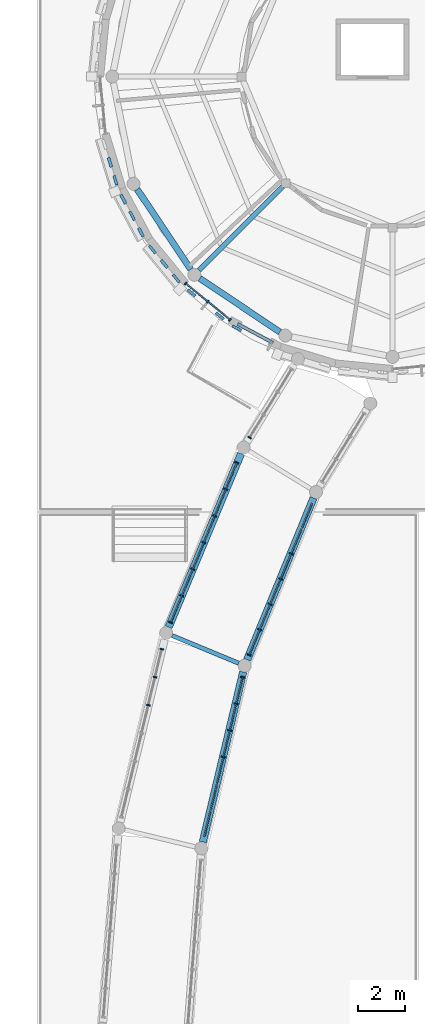
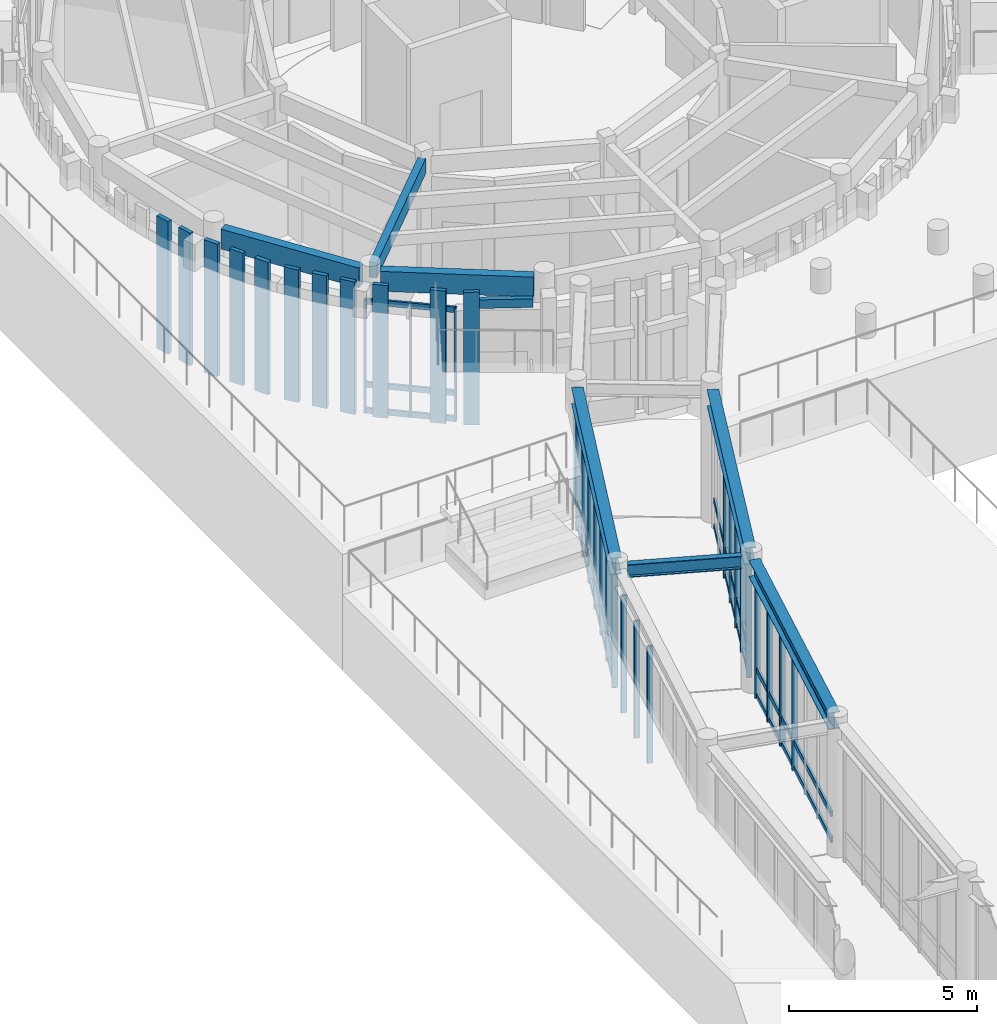
# One storey, part 29 of 94: 46 members, 8 beams, 6 elements without a shape of their own.
"""IFC4 building model written with IfcOpenShell, lengths in metres."""

from ifc_helpers import new_model, si_unit, direction, frame, origin, origin_2d, place, context, subcontext, project, spatial, rectangle, i_section, extrude, material, layer, layer_set, material_profile, profile_set, type_object, element, aggregate, save


model = new_model("IFC4")

# Units and contexts
model_context = context("Model", 3, precision=1e-05, world=origin(), true_north=direction((0.0, 1.0)))
body_context = subcontext(model_context, "Body", "Model", "MODEL_VIEW")
ifc_project = project(units=[si_unit("LENGTHUNIT", "METRE"), si_unit("AREAUNIT", "SQUARE_METRE"), si_unit("VOLUMEUNIT", "CUBIC_METRE"), si_unit("PLANEANGLEUNIT", "RADIAN"), si_unit("MASSUNIT", "GRAM", prefix="KILO")], contexts=[model_context])

# Site, building, storey
site_placement = place(None, origin())
site = spatial("IfcSite", under=ifc_project, at=site_placement, CompositionType="ELEMENT")
building_placement = place(site_placement, origin())
building = spatial("IfcBuilding", under=site, at=building_placement, Name="Aldenvaro Health Centre", CompositionType="ELEMENT")
storey_placement = place(building_placement, origin())
storey = spatial("IfcBuildingStorey", under=building, at=storey_placement, Name="L00", CompositionType="ELEMENT", Elevation=0.0)

# Beams
ifc_material_1 = material(Name="Glulam GL28h", Category="wood")
ifc_material_profile_1 = material_profile(ifc_material_1, rectangle(XDim=0.139892578125, YDim=0.280029296875, at=origin_2d()), Name="GL 140x280", Category="wood")
ifc_profile_set_1 = profile_set([ifc_material_profile_1], Name="Glulam GL28h")
beam_type_1 = type_object("IfcBeamType", Name="BM-GL-280", PredefinedType="LINTEL", material=ifc_profile_set_1)
beam_1_placement = place(storey_placement, frame((149.431884765625, 88.217041015625, 3.799072265625), z_axis=(-0.88194299532, 0.471356078783, 0.0), x_axis=(-0.471356078783, -0.88194299532, 0.0)))
element("IfcBeam", 1, at=beam_1_placement, inside=storey, type_object=beam_type_1, Name="Portal Lintel Beam 09", PredefinedType="LINTEL", context=body_context, shape_type="SweptSolid", body=[
    extrude(rectangle(XDim=0.139892578125, YDim=0.280029296875, at=origin_2d()), origin(), (0.0, 0.0, 1.0), 1.699462890625),
])
ifc_material_profile_2 = material_profile(ifc_material_1, rectangle(XDim=0.215087890625, YDim=0.493896484375, at=origin_2d()), Name="GL 215x494", Category="wood")
ifc_profile_set_2 = profile_set([ifc_material_profile_2], Name="Glulam GL28h")
beam_type_2 = type_object("IfcBeamType", Name="BM-GL-494", PredefinedType="BEAM", material=ifc_profile_set_2)
beam_2_placement = place(storey_placement, frame((149.845947265625, 94.845947265625, 4.05810546875), z_axis=(-0.707106781187, -0.707106781187, 0.0), x_axis=(0.707106781187, -0.707106781187, 0.0)))
element("IfcBeam", 2, at=beam_2_placement, inside=storey, type_object=beam_type_2, Name="D2 L00 radial beam 04", PredefinedType="BEAM", context=body_context, shape_type="SweptSolid", body=[
    extrude(rectangle(XDim=0.215087890625, YDim=0.493896484375, at=origin_2d()), origin(), (0.0, 0.0, 1.0), 5.023193359375),
])
ifc_material_profile_3 = material_profile(ifc_material_1, rectangle(XDim=0.264892578125, YDim=0.64599609375, at=origin_2d()), Name="GL 265x646", Category="wood")
ifc_profile_set_3 = profile_set([ifc_material_profile_3], Name="Glulam GL28h")
beam_type_3 = type_object("IfcBeamType", Name="BM-GL-646", PredefinedType="SPANDREL", material=ifc_profile_set_3)
for number, where, z_axis, x_axis, name in (
    (3, (143.677001953125, 94.72509765625, 3.98193359375), (0.555720427957, -0.83136923563, 0.0), (0.83136923563, 0.555720427957, 0.0), "D2 L00 perimeter spandrel 10"),
    (4, (146.3291015625, 90.947021484375, 3.98193359375), (0.83136923563, -0.555720427957, 0.0), (0.555720427957, 0.83136923563, 0.0), "D2 L00 perimeter spandrel 11"),
):
    element("IfcBeam", number, at=place(storey_placement, frame(where, z_axis=z_axis, x_axis=x_axis)), inside=storey, type_object=beam_type_3, Name=name, PredefinedType="SPANDREL", context=body_context, shape_type="SweptSolid", body=[
        extrude(rectangle(XDim=0.264892578125, YDim=0.64599609375, at=origin_2d()), origin(), (0.0, 0.0, 1.0), 4.084716796875),
    ])
ifc_material_2 = material(Name="Steel ASTM A992 Grade 50", Category="steel")
ifc_material_profile_4 = material_profile(ifc_material_2, i_section(OverallWidth=0.180908203125, OverallDepth=0.4169921875, WebThickness=0.010986328125, FlangeThickness=0.018310546875, at=origin_2d()), Name="W16X57", Category="steel")
ifc_profile_set_4 = profile_set([ifc_material_profile_4], Name="Steel ASTM A992 Grade 50")
beam_type_4 = type_object("IfcBeamType", Name="BM-ST-W16E", PredefinedType="JOIST", material=ifc_profile_set_4)
beam_3_placement = place(storey_placement, frame((147.97900390625, 74.638916015625, 4.135986328125), z_axis=(-0.923802186676, 0.382870108382, 0.0), x_axis=(-0.382870108382, -0.923802186676, 0.0)))
element("IfcBeam", 5, at=beam_3_placement, inside=storey, type_object=beam_type_4, Name="East Curved Garden Colonnade Arc 2 L00 cross beam 2", PredefinedType="JOIST", context=body_context, shape_type="SweptSolid", body=[
    extrude(i_section(OverallWidth=0.180908203125, OverallDepth=0.4169921875, WebThickness=0.010986328125, FlangeThickness=0.018310546875, at=origin_2d()), origin(), (0.0, 0.0, 1.0), 3.050537109375),
])
ifc_material_profile_5 = material_profile(ifc_material_2, i_section(OverallWidth=0.31201171875, OverallDepth=0.54296875, WebThickness=0.0126953125, FlangeThickness=0.020263671875, at=origin_2d()), Name="W21X101", Category="steel")
ifc_profile_set_5 = profile_set([ifc_material_profile_5], Name="Steel ASTM A992 Grade 50")
beam_type_5 = type_object("IfcBeamType", Name="BM-ST-W21E", PredefinedType="BEAM", material=ifc_profile_set_5)
beam_4_placement = place(storey_placement, frame((151.152099609375, 81.639892578125, 4.073974609375), z_axis=(-0.37992741541, -0.925016302029, 0.0), x_axis=(0.925016302029, -0.37992741541, 0.0)))
element("IfcBeam", 6, at=beam_4_placement, inside=storey, type_object=beam_type_5, Name="East Curved Garden Colonnade Arc 2 L00 girder L-1", PredefinedType="BEAM", context=body_context, shape_type="SweptSolid", body=[
    extrude(i_section(OverallWidth=0.31201171875, OverallDepth=0.54296875, WebThickness=0.0126953125, FlangeThickness=0.020263671875, at=origin_2d()), origin(), (0.0, 0.0, 1.0), 7.4072265625),
])
beam_5_placement = place(storey_placement, frame((148.0810546875, 83.52197265625, 4.073974609375), z_axis=(-0.38495031573, -0.922937297122, 0.0), x_axis=(0.922937297122, -0.38495031573, 0.0)))
element("IfcBeam", 7, at=beam_5_placement, inside=storey, type_object=beam_type_5, Name="East Curved Garden Colonnade Arc 2 L00 girder R-1", PredefinedType="BEAM", context=body_context, shape_type="SweptSolid", body=[
    extrude(i_section(OverallWidth=0.31201171875, OverallDepth=0.54296875, WebThickness=0.0126953125, FlangeThickness=0.020263671875, at=origin_2d()), origin(), (0.0, 0.0, 1.0), 7.97021484375),
])
beam_6_placement = place(storey_placement, frame((148.169921875, 74.26611328125, 4.073974609375), z_axis=(-0.231038102436, -0.972944703065, 0.0), x_axis=(0.972944703065, -0.231038102436, 0.0)))
element("IfcBeam", 8, at=beam_6_placement, inside=storey, type_object=beam_type_5, Name="East Curved Garden Colonnade Arc 3 L00 girder L-1", PredefinedType="BEAM", context=body_context, shape_type="SweptSolid", body=[
    extrude(i_section(OverallWidth=0.31201171875, OverallDepth=0.54296875, WebThickness=0.0126953125, FlangeThickness=0.020263671875, at=origin_2d()), origin(), (0.0, 0.0, 1.0), 7.405517578125),
])

# Curtain wall, members
ifc_material_3 = material(Name="Anodised Aluminium 6063-T6", Category="aluminium")
ifc_layer_1 = layer(ifc_material_3, 0.195068359375, Name="Anodised Aluminium 6063-T6", Category="aluminium")
ifc_layer_set_1 = layer_set([ifc_layer_1], Name="Anodised Aluminium 6063-T6")
curtain_wall_type_1 = type_object("IfcCurtainWallType", Name="CW-CLN-02", PredefinedType="NOTDEFINED", material=ifc_layer_set_1)
curtain_wall_1_placement = place(storey_placement, origin())
curtain_wall_1 = element("IfcCurtainWall", 9, at=curtain_wall_1_placement, inside=storey, type_object=curtain_wall_type_1, Name="D2 L00 curtain wall bay 12", PredefinedType="NOTDEFINED")
ifc_material_profile_6 = material_profile(ifc_material_3, rectangle(XDim=0.06005859375, YDim=0.135009765625, at=origin_2d()), Name="ALU 60x135", Category="aluminium")
ifc_profile_set_6 = profile_set([ifc_material_profile_6], Name="Anodised Aluminium 6063-T6")
member_type_1 = type_object("IfcMemberType", Name="CWM-150", PredefinedType="MULLION", material=ifc_profile_set_6)
member_1_placement = place(storey_placement, frame((147.611083984375, 89.18994140625, 0.0), z_axis=(0.0, 0.0, 1.0), x_axis=(-0.773021639749, 0.634379653268, 0.0)))
member_1 = element("IfcMember", 10, at=member_1_placement, type_object=member_type_1, Name="D2 L00 curtain wall bay 12 mullion 1", PredefinedType="MULLION", context=body_context, shape_type="SweptSolid", body=[
    extrude(rectangle(XDim=0.06005859375, YDim=0.135009765625, at=origin_2d()), origin(), (0.0, 0.0, 1.0), 3.658935546875),
])
member_2_placement = place(storey_placement, frame((146.6708984375, 89.9609375, 0.0), z_axis=(0.0, 0.0, 1.0), x_axis=(-0.773021639749, 0.634379653268, 0.0)))
member_2 = element("IfcMember", 11, at=member_2_placement, type_object=member_type_1, Name="D2 L00 curtain wall bay 12 mullion 2", PredefinedType="MULLION", context=body_context, shape_type="SweptSolid", body=[
    extrude(rectangle(XDim=0.06005859375, YDim=0.135009765625, at=origin_2d()), origin(), (0.0, 0.0, 1.0), 3.658935546875),
])
member_3_placement = place(storey_placement, frame((145.73193359375, 90.73193359375, 0.0), z_axis=(0.0, 0.0, 1.0), x_axis=(-0.773021639749, 0.634379653268, 0.0)))
member_3 = element("IfcMember", 12, at=member_3_placement, type_object=member_type_1, Name="D2 L00 curtain wall bay 12 mullion 3", PredefinedType="MULLION", context=body_context, shape_type="SweptSolid", body=[
    extrude(rectangle(XDim=0.06005859375, YDim=0.135009765625, at=origin_2d()), origin(), (0.0, 0.0, 1.0), 3.658935546875),
])

# Curtain wall, member
ifc_layer_2 = layer(ifc_material_3, 0.2099609375, Name="Anodised Aluminium 6063-T6", Category="aluminium")
ifc_layer_set_2 = layer_set([ifc_layer_2], Name="Anodised Aluminium 6063-T6")
curtain_wall_type_2 = type_object("IfcCurtainWallType", Name="CW-BRG-03", PredefinedType="NOTDEFINED", material=ifc_layer_set_2)
curtain_wall_2_placement = place(storey_placement, origin())
curtain_wall_2 = element("IfcCurtainWall", 13, at=curtain_wall_2_placement, inside=storey, type_object=curtain_wall_type_2, Name="East Curved Garden Colonnade Arc 1 L00 glazed link wall R-1.1", PredefinedType="NOTDEFINED")
ifc_material_profile_7 = material_profile(ifc_material_3, rectangle(XDim=0.06005859375, YDim=0.159912109375, at=origin_2d()), Name="ALU 60x160", Category="aluminium")
ifc_profile_set_7 = profile_set([ifc_material_profile_7], Name="Anodised Aluminium 6063-T6")
member_type_2 = type_object("IfcMemberType", Name="CWM-180", PredefinedType="MULLION", material=ifc_profile_set_7)
member_4_placement = place(storey_placement, frame((148.446044921875, 84.197021484375, 0.0), z_axis=(0.0, 0.0, 1.0), x_axis=(-0.522527716361, -0.852622299518, 0.0)))
member_4 = element("IfcMember", 14, at=member_4_placement, type_object=member_type_2, Name="East Curved Garden Colonnade Arc 1 L00 glazed link wall R-1.1 mullion 4", PredefinedType="MULLION", context=body_context, shape_type="SweptSolid", body=[
    extrude(rectangle(XDim=0.06005859375, YDim=0.159912109375, at=origin_2d()), origin(), (0.0, 0.0, 1.0), 3.804931640625),
])
aggregate(curtain_wall_2, [member_4])

# Curtain wall, members
curtain_wall_3_placement = place(storey_placement, origin())
curtain_wall_3 = element("IfcCurtainWall", 15, at=curtain_wall_3_placement, inside=storey, type_object=curtain_wall_type_2, Name="East Curved Garden Colonnade Arc 2 L00 glazed link wall L-1.1", PredefinedType="NOTDEFINED")
member_5_placement = place(storey_placement, frame((150.198974609375, 79.282958984375, 0.0), z_axis=(0.0, 0.0, 1.0), x_axis=(-0.382596838462, -0.923915396126, 0.0)))
member_5 = element("IfcMember", 16, at=member_5_placement, type_object=member_type_2, Name="East Curved Garden Colonnade Arc 2 L00 glazed link wall L-1.1 mullion 3", PredefinedType="MULLION", context=body_context, shape_type="SweptSolid", body=[
    extrude(rectangle(XDim=0.06005859375, YDim=0.159912109375, at=origin_2d()), origin(), (0.0, 0.0, 1.0), 3.804931640625),
])
member_6_placement = place(storey_placement, frame((149.7548828125, 78.2099609375, 0.0), z_axis=(0.0, 0.0, 1.0), x_axis=(-0.382596838462, -0.923915396126, 0.0)))
member_6 = element("IfcMember", 17, at=member_6_placement, type_object=member_type_2, Name="East Curved Garden Colonnade Arc 2 L00 glazed link wall L-1.1 mullion 4", PredefinedType="MULLION", context=body_context, shape_type="SweptSolid", body=[
    extrude(rectangle(XDim=0.06005859375, YDim=0.159912109375, at=origin_2d()), origin(), (0.0, 0.0, 1.0), 3.804931640625),
])
member_7_placement = place(storey_placement, frame((149.31103515625, 77.136962890625, 0.0), z_axis=(0.0, 0.0, 1.0), x_axis=(-0.382596838462, -0.923915396126, 0.0)))
member_7 = element("IfcMember", 18, at=member_7_placement, type_object=member_type_2, Name="East Curved Garden Colonnade Arc 2 L00 glazed link wall L-1.1 mullion 5", PredefinedType="MULLION", context=body_context, shape_type="SweptSolid", body=[
    extrude(rectangle(XDim=0.06005859375, YDim=0.159912109375, at=origin_2d()), origin(), (0.0, 0.0, 1.0), 3.804931640625),
])
member_8_placement = place(storey_placement, frame((148.865966796875, 76.06396484375, 0.0), z_axis=(0.0, 0.0, 1.0), x_axis=(-0.382596838462, -0.923915396126, 0.0)))
member_8 = element("IfcMember", 19, at=member_8_placement, type_object=member_type_2, Name="East Curved Garden Colonnade Arc 2 L00 glazed link wall L-1.1 mullion 6", PredefinedType="MULLION", context=body_context, shape_type="SweptSolid", body=[
    extrude(rectangle(XDim=0.06005859375, YDim=0.159912109375, at=origin_2d()), origin(), (0.0, 0.0, 1.0), 3.804931640625),
])
member_9_placement = place(storey_placement, frame((148.422119140625, 74.990966796875, 0.0), z_axis=(0.0, 0.0, 1.0), x_axis=(-0.382596838462, -0.923915396126, 0.0)))
member_9 = element("IfcMember", 20, at=member_9_placement, type_object=member_type_2, Name="East Curved Garden Colonnade Arc 2 L00 glazed link wall L-1.1 mullion 7", PredefinedType="MULLION", context=body_context, shape_type="SweptSolid", body=[
    extrude(rectangle(XDim=0.06005859375, YDim=0.159912109375, at=origin_2d()), origin(), (0.0, 0.0, 1.0), 3.804931640625),
])

curtain_wall_4_placement = place(storey_placement, origin())
curtain_wall_4 = element("IfcCurtainWall", 21, at=curtain_wall_4_placement, inside=storey, type_object=curtain_wall_type_2, Name="East Curved Garden Colonnade Arc 2 L00 glazed link wall R-1.1", PredefinedType="NOTDEFINED")
member_10_placement = place(storey_placement, frame((147.89794921875, 83.135986328125, 0.0), z_axis=(0.0, 0.0, 1.0), x_axis=(-0.382568850779, -0.923926985434, 0.0)))
member_10 = element("IfcMember", 22, at=member_10_placement, type_object=member_type_2, Name="East Curved Garden Colonnade Arc 2 L00 glazed link wall R-1.1 mullion 1", PredefinedType="MULLION", context=body_context, shape_type="SweptSolid", body=[
    extrude(rectangle(XDim=0.06005859375, YDim=0.159912109375, at=origin_2d()), origin(), (0.0, 0.0, 1.0), 3.804931640625),
])
member_11_placement = place(storey_placement, frame((147.430908203125, 82.008056640625, 0.0), z_axis=(0.0, 0.0, 1.0), x_axis=(-0.382568850779, -0.923926985434, 0.0)))
member_11 = element("IfcMember", 23, at=member_11_placement, type_object=member_type_2, Name="East Curved Garden Colonnade Arc 2 L00 glazed link wall R-1.1 mullion 2", PredefinedType="MULLION", context=body_context, shape_type="SweptSolid", body=[
    extrude(rectangle(XDim=0.06005859375, YDim=0.159912109375, at=origin_2d()), origin(), (0.0, 0.0, 1.0), 3.804931640625),
])
member_12_placement = place(storey_placement, frame((146.964111328125, 80.8798828125, 0.0), z_axis=(0.0, 0.0, 1.0), x_axis=(-0.382568850779, -0.923926985434, 0.0)))
member_12 = element("IfcMember", 24, at=member_12_placement, type_object=member_type_2, Name="East Curved Garden Colonnade Arc 2 L00 glazed link wall R-1.1 mullion 3", PredefinedType="MULLION", context=body_context, shape_type="SweptSolid", body=[
    extrude(rectangle(XDim=0.06005859375, YDim=0.159912109375, at=origin_2d()), origin(), (0.0, 0.0, 1.0), 3.804931640625),
])
member_13_placement = place(storey_placement, frame((146.4970703125, 79.751953125, 0.0), z_axis=(0.0, 0.0, 1.0), x_axis=(-0.382568850779, -0.923926985434, 0.0)))
member_13 = element("IfcMember", 25, at=member_13_placement, type_object=member_type_2, Name="East Curved Garden Colonnade Arc 2 L00 glazed link wall R-1.1 mullion 4", PredefinedType="MULLION", context=body_context, shape_type="SweptSolid", body=[
    extrude(rectangle(XDim=0.06005859375, YDim=0.159912109375, at=origin_2d()), origin(), (0.0, 0.0, 1.0), 3.804931640625),
])
member_14_placement = place(storey_placement, frame((146.030029296875, 78.625, 0.0), z_axis=(0.0, 0.0, 1.0), x_axis=(-0.382568850779, -0.923926985434, 0.0)))
member_14 = element("IfcMember", 26, at=member_14_placement, type_object=member_type_2, Name="East Curved Garden Colonnade Arc 2 L00 glazed link wall R-1.1 mullion 5", PredefinedType="MULLION", context=body_context, shape_type="SweptSolid", body=[
    extrude(rectangle(XDim=0.06005859375, YDim=0.159912109375, at=origin_2d()), origin(), (0.0, 0.0, 1.0), 3.804931640625),
])
member_15_placement = place(storey_placement, frame((145.56298828125, 77.4970703125, 0.0), z_axis=(0.0, 0.0, 1.0), x_axis=(-0.382568850779, -0.923926985434, 0.0)))
member_15 = element("IfcMember", 27, at=member_15_placement, type_object=member_type_2, Name="East Curved Garden Colonnade Arc 2 L00 glazed link wall R-1.1 mullion 6", PredefinedType="MULLION", context=body_context, shape_type="SweptSolid", body=[
    extrude(rectangle(XDim=0.06005859375, YDim=0.159912109375, at=origin_2d()), origin(), (0.0, 0.0, 1.0), 3.804931640625),
])
member_16_placement = place(storey_placement, frame((145.095947265625, 76.368896484375, 0.0), z_axis=(0.0, 0.0, 1.0), x_axis=(-0.382568850779, -0.923926985434, 0.0)))
member_16 = element("IfcMember", 28, at=member_16_placement, type_object=member_type_2, Name="East Curved Garden Colonnade Arc 2 L00 glazed link wall R-1.1 mullion 7", PredefinedType="MULLION", context=body_context, shape_type="SweptSolid", body=[
    extrude(rectangle(XDim=0.06005859375, YDim=0.159912109375, at=origin_2d()), origin(), (0.0, 0.0, 1.0), 3.804931640625),
])

curtain_wall_5_placement = place(storey_placement, origin())
curtain_wall_5 = element("IfcCurtainWall", 29, at=curtain_wall_5_placement, inside=storey, type_object=curtain_wall_type_2, Name="East Curved Garden Colonnade Arc 3 L00 glazed link wall L-1.1", PredefinedType="NOTDEFINED")
member_17_placement = place(storey_placement, frame((148.138916015625, 74.048095703125, 0.0), z_axis=(0.0, 0.0, 1.0), x_axis=(-0.233541245949, -0.972346896144, 0.0)))
member_17 = element("IfcMember", 30, at=member_17_placement, type_object=member_type_2, Name="East Curved Garden Colonnade Arc 3 L00 glazed link wall L-1.1 mullion 1", PredefinedType="MULLION", context=body_context, shape_type="SweptSolid", body=[
    extrude(rectangle(XDim=0.06005859375, YDim=0.159912109375, at=origin_2d()), origin(), (0.0, 0.0, 1.0), 3.804931640625),
])
member_18_placement = place(storey_placement, frame((147.867919921875, 72.9189453125, 0.0), z_axis=(0.0, 0.0, 1.0), x_axis=(-0.233541245949, -0.972346896144, 0.0)))
member_18 = element("IfcMember", 31, at=member_18_placement, type_object=member_type_2, Name="East Curved Garden Colonnade Arc 3 L00 glazed link wall L-1.1 mullion 2", PredefinedType="MULLION", context=body_context, shape_type="SweptSolid", body=[
    extrude(rectangle(XDim=0.06005859375, YDim=0.159912109375, at=origin_2d()), origin(), (0.0, 0.0, 1.0), 3.804931640625),
])
member_19_placement = place(storey_placement, frame((147.596923828125, 71.7900390625, 0.0), z_axis=(0.0, 0.0, 1.0), x_axis=(-0.233541245949, -0.972346896144, 0.0)))
member_19 = element("IfcMember", 32, at=member_19_placement, type_object=member_type_2, Name="East Curved Garden Colonnade Arc 3 L00 glazed link wall L-1.1 mullion 3", PredefinedType="MULLION", context=body_context, shape_type="SweptSolid", body=[
    extrude(rectangle(XDim=0.06005859375, YDim=0.159912109375, at=origin_2d()), origin(), (0.0, 0.0, 1.0), 3.804931640625),
])
member_20_placement = place(storey_placement, frame((147.325927734375, 70.660888671875, 0.0), z_axis=(0.0, 0.0, 1.0), x_axis=(-0.233541245949, -0.972346896144, 0.0)))
member_20 = element("IfcMember", 33, at=member_20_placement, type_object=member_type_2, Name="East Curved Garden Colonnade Arc 3 L00 glazed link wall L-1.1 mullion 4", PredefinedType="MULLION", context=body_context, shape_type="SweptSolid", body=[
    extrude(rectangle(XDim=0.06005859375, YDim=0.159912109375, at=origin_2d()), origin(), (0.0, 0.0, 1.0), 3.804931640625),
])

curtain_wall_6_placement = place(storey_placement, origin())
curtain_wall_6 = element("IfcCurtainWall", 34, at=curtain_wall_6_placement, inside=storey, type_object=curtain_wall_type_2, Name="East Curved Garden Colonnade Arc 3 L00 glazed link wall R-1.1", PredefinedType="NOTDEFINED")
member_21_placement = place(storey_placement, frame((144.721923828125, 75.235107421875, 0.0), z_axis=(0.0, 0.0, 1.0), x_axis=(-0.233625994255, -0.972326537131, 0.0)))
member_21 = element("IfcMember", 35, at=member_21_placement, type_object=member_type_2, Name="East Curved Garden Colonnade Arc 3 L00 glazed link wall R-1.1 mullion 1", PredefinedType="MULLION", context=body_context, shape_type="SweptSolid", body=[
    extrude(rectangle(XDim=0.06005859375, YDim=0.159912109375, at=origin_2d()), origin(), (0.0, 0.0, 1.0), 3.804931640625),
])
member_22_placement = place(storey_placement, frame((144.43701171875, 74.048095703125, 0.0), z_axis=(0.0, 0.0, 1.0), x_axis=(-0.233625994255, -0.972326537131, 0.0)))
member_22 = element("IfcMember", 36, at=member_22_placement, type_object=member_type_2, Name="East Curved Garden Colonnade Arc 3 L00 glazed link wall R-1.1 mullion 2", PredefinedType="MULLION", context=body_context, shape_type="SweptSolid", body=[
    extrude(rectangle(XDim=0.06005859375, YDim=0.159912109375, at=origin_2d()), origin(), (0.0, 0.0, 1.0), 3.804931640625),
])
member_23_placement = place(storey_placement, frame((144.152099609375, 72.861083984375, 0.0), z_axis=(0.0, 0.0, 1.0), x_axis=(-0.233625994255, -0.972326537131, 0.0)))
member_23 = element("IfcMember", 37, at=member_23_placement, type_object=member_type_2, Name="East Curved Garden Colonnade Arc 3 L00 glazed link wall R-1.1 mullion 3", PredefinedType="MULLION", context=body_context, shape_type="SweptSolid", body=[
    extrude(rectangle(XDim=0.06005859375, YDim=0.159912109375, at=origin_2d()), origin(), (0.0, 0.0, 1.0), 3.804931640625),
])
aggregate(curtain_wall_6, [member_21, member_22, member_23])

# Member
ifc_material_profile_8 = material_profile(ifc_material_3, rectangle(XDim=0.06494140625, YDim=0.179931640625, at=origin_2d()), Name="ALU 65x180", Category="aluminium")
ifc_profile_set_8 = profile_set([ifc_material_profile_8], Name="Anodised Aluminium 6063-T6")
member_type_3 = type_object("IfcMemberType", Name="CWT-150", PredefinedType="USERDEFINED", material=ifc_profile_set_8)
member_24_placement = place(storey_placement, frame((147.611083984375, 89.18994140625, 0.06005859375), z_axis=(-0.773048113134, 0.634347392822, 0.0), x_axis=(-0.634347392822, -0.773048113134, 0.0)))
member_24 = element("IfcMember", 38, at=member_24_placement, type_object=member_type_3, Name="D2 L00 curtain wall bay 12 transom 1", ObjectType="TRANSOM", PredefinedType="USERDEFINED", context=body_context, shape_type="SweptSolid", body=[
    extrude(rectangle(XDim=0.06494140625, YDim=0.179931640625, at=origin_2d()), origin(), (0.0, 0.0, 1.0), 2.430908203125),
])

member_25_placement = place(storey_placement, frame((147.611083984375, 89.18994140625, 0.89990234375), z_axis=(-0.773048113134, 0.634347392822, 0.0), x_axis=(-0.634347392822, -0.773048113134, 0.0)))
member_25 = element("IfcMember", 39, at=member_25_placement, type_object=member_type_3, Name="D2 L00 curtain wall bay 12 transom 2", ObjectType="TRANSOM", PredefinedType="USERDEFINED", context=body_context, shape_type="SweptSolid", body=[
    extrude(rectangle(XDim=0.06494140625, YDim=0.179931640625, at=origin_2d()), origin(), (0.0, 0.0, 1.0), 2.430908203125),
])

member_26_placement = place(storey_placement, frame((147.611083984375, 89.18994140625, 3.59912109375), z_axis=(-0.773048113134, 0.634347392822, 0.0), x_axis=(-0.634347392822, -0.773048113134, 0.0)))
member_26 = element("IfcMember", 40, at=member_26_placement, type_object=member_type_3, Name="D2 L00 curtain wall bay 12 transom 3", ObjectType="TRANSOM", PredefinedType="USERDEFINED", context=body_context, shape_type="SweptSolid", body=[
    extrude(rectangle(XDim=0.06494140625, YDim=0.179931640625, at=origin_2d()), origin(), (0.0, 0.0, 1.0), 2.430908203125),
])

aggregate(curtain_wall_1, [member_1, member_2, member_3, member_24, member_25, member_26])

member_27_placement = place(storey_placement, frame((151.087890625, 81.428955078125, 0.06005859375), z_axis=(-0.382569438613, -0.923926742031, 0.0), x_axis=(0.923926742031, -0.382569438613, 0.0)))
member_27 = element("IfcMember", 41, at=member_27_placement, type_object=member_type_3, Name="East Curved Garden Colonnade Arc 2 L00 glazed link wall L-1.1 transom 1", ObjectType="TRANSOM", PredefinedType="USERDEFINED", context=body_context, shape_type="SweptSolid", body=[
    extrude(rectangle(XDim=0.06494140625, YDim=0.179931640625, at=origin_2d()), origin(), (0.0, 0.0, 1.0), 6.968017578125),
])

member_28_placement = place(storey_placement, frame((151.087890625, 81.428955078125, 0.89990234375), z_axis=(-0.382569438613, -0.923926742031, 0.0), x_axis=(0.923926742031, -0.382569438613, 0.0)))
member_28 = element("IfcMember", 42, at=member_28_placement, type_object=member_type_3, Name="East Curved Garden Colonnade Arc 2 L00 glazed link wall L-1.1 transom 2", ObjectType="TRANSOM", PredefinedType="USERDEFINED", context=body_context, shape_type="SweptSolid", body=[
    extrude(rectangle(XDim=0.06494140625, YDim=0.179931640625, at=origin_2d()), origin(), (0.0, 0.0, 1.0), 6.968017578125),
])

member_29_placement = place(storey_placement, frame((151.087890625, 81.428955078125, 3.7451171875), z_axis=(-0.382569438613, -0.923926742031, 0.0), x_axis=(0.923926742031, -0.382569438613, 0.0)))
member_29 = element("IfcMember", 43, at=member_29_placement, type_object=member_type_3, Name="East Curved Garden Colonnade Arc 2 L00 glazed link wall L-1.1 transom 3", ObjectType="TRANSOM", PredefinedType="USERDEFINED", context=body_context, shape_type="SweptSolid", body=[
    extrude(rectangle(XDim=0.06494140625, YDim=0.179931640625, at=origin_2d()), origin(), (0.0, 0.0, 1.0), 6.968017578125),
])

aggregate(curtain_wall_3, [member_5, member_6, member_7, member_8, member_9, member_27, member_28, member_29])

member_30_placement = place(storey_placement, frame((147.89794921875, 83.135986328125, 0.06005859375), z_axis=(-0.382564742583, -0.923928686497, 0.0), x_axis=(0.923928686497, -0.382564742583, 0.0)))
member_30 = element("IfcMember", 44, at=member_30_placement, type_object=member_type_3, Name="East Curved Garden Colonnade Arc 2 L00 glazed link wall R-1.1 transom 1", ObjectType="TRANSOM", PredefinedType="USERDEFINED", context=body_context, shape_type="SweptSolid", body=[
    extrude(rectangle(XDim=0.06494140625, YDim=0.179931640625, at=origin_2d()), origin(), (0.0, 0.0, 1.0), 7.32421875),
])

member_31_placement = place(storey_placement, frame((147.89794921875, 83.135986328125, 0.89990234375), z_axis=(-0.382564742583, -0.923928686497, 0.0), x_axis=(0.923928686497, -0.382564742583, 0.0)))
member_31 = element("IfcMember", 45, at=member_31_placement, type_object=member_type_3, Name="East Curved Garden Colonnade Arc 2 L00 glazed link wall R-1.1 transom 2", ObjectType="TRANSOM", PredefinedType="USERDEFINED", context=body_context, shape_type="SweptSolid", body=[
    extrude(rectangle(XDim=0.06494140625, YDim=0.179931640625, at=origin_2d()), origin(), (0.0, 0.0, 1.0), 7.32421875),
])

member_32_placement = place(storey_placement, frame((147.89794921875, 83.135986328125, 3.7451171875), z_axis=(-0.382564742583, -0.923928686497, 0.0), x_axis=(0.923928686497, -0.382564742583, 0.0)))
member_32 = element("IfcMember", 46, at=member_32_placement, type_object=member_type_3, Name="East Curved Garden Colonnade Arc 2 L00 glazed link wall R-1.1 transom 3", ObjectType="TRANSOM", PredefinedType="USERDEFINED", context=body_context, shape_type="SweptSolid", body=[
    extrude(rectangle(XDim=0.06494140625, YDim=0.179931640625, at=origin_2d()), origin(), (0.0, 0.0, 1.0), 7.32421875),
])

aggregate(curtain_wall_4, [member_10, member_11, member_12, member_13, member_14, member_15, member_16, member_30, member_31, member_32])

member_33_placement = place(storey_placement, frame((148.138916015625, 74.048095703125, 0.06005859375), z_axis=(-0.233529345957, -0.972349754243, 0.0), x_axis=(0.972349754243, -0.233529345957, 0.0)))
member_33 = element("IfcMember", 47, at=member_33_placement, type_object=member_type_3, Name="East Curved Garden Colonnade Arc 3 L00 glazed link wall L-1.1 transom 1", ObjectType="TRANSOM", PredefinedType="USERDEFINED", context=body_context, shape_type="SweptSolid", body=[
    extrude(rectangle(XDim=0.06494140625, YDim=0.179931640625, at=origin_2d()), origin(), (0.0, 0.0, 1.0), 6.966796875),
])

member_34_placement = place(storey_placement, frame((148.138916015625, 74.048095703125, 0.89990234375), z_axis=(-0.233529345957, -0.972349754243, 0.0), x_axis=(0.972349754243, -0.233529345957, 0.0)))
member_34 = element("IfcMember", 48, at=member_34_placement, type_object=member_type_3, Name="East Curved Garden Colonnade Arc 3 L00 glazed link wall L-1.1 transom 2", ObjectType="TRANSOM", PredefinedType="USERDEFINED", context=body_context, shape_type="SweptSolid", body=[
    extrude(rectangle(XDim=0.06494140625, YDim=0.179931640625, at=origin_2d()), origin(), (0.0, 0.0, 1.0), 6.966796875),
])

member_35_placement = place(storey_placement, frame((148.138916015625, 74.048095703125, 3.7451171875), z_axis=(-0.233529345957, -0.972349754243, 0.0), x_axis=(0.972349754243, -0.233529345957, 0.0)))
member_35 = element("IfcMember", 49, at=member_35_placement, type_object=member_type_3, Name="East Curved Garden Colonnade Arc 3 L00 glazed link wall L-1.1 transom 3", ObjectType="TRANSOM", PredefinedType="USERDEFINED", context=body_context, shape_type="SweptSolid", body=[
    extrude(rectangle(XDim=0.06494140625, YDim=0.179931640625, at=origin_2d()), origin(), (0.0, 0.0, 1.0), 6.966796875),
])

aggregate(curtain_wall_5, [member_17, member_18, member_19, member_20, member_33, member_34, member_35])

# Members
ifc_material_profile_9 = material_profile(ifc_material_1, rectangle(XDim=0.114990234375, YDim=0.419921875, at=origin_2d()), Name="GL 115x420", Category="wood")
ifc_profile_set_9 = profile_set([ifc_material_profile_9], Name="Glulam GL28h")
member_type_4 = type_object("IfcMemberType", Name="MEM-SLT-420A", PredefinedType="POST", material=ifc_profile_set_9)
for number, where, z_axis, x_axis, name in (
    (50, (147.89892578125, 88.837890625, 0.0), (0.0, 0.0, 1.0), (-0.471399336159, -0.881919874971, 0.0), "D2 L00 vertical timber slat 11.3"),
    (51, (147.177978515625, 89.35205078125, 0.0), (0.0, 0.0, 1.0), (-0.634379653268, -0.773021639749, 0.0), "D2 L00 curtain mullion timber slat 12"),
    (52, (145.97509765625, 90.337890625, 0.0), (0.0, 0.0, 1.0), (-0.634379653268, -0.773021639749, 0.0), "D2 L00 curtain mullion timber slat 12"),
    (53, (145.330078125, 90.946044921875, 0.0), (0.0, 0.0, 1.0), (-0.773021639749, -0.634379653268, 0.0), "D2 L00 vertical timber slat 13.1"),
    (54, (144.321044921875, 92.175048828125, 0.0), (0.0, 0.0, 1.0), (-0.773021639749, -0.634379653268, 0.0), "D2 L00 vertical timber slat 13.3"),
    (55, (143.462890625, 93.60107421875, 0.0), (0.0, 0.0, 1.0), (-0.881919874971, -0.471399336159, 0.0), "D2 L00 vertical timber slat 14.2"),
    (56, (142.7548828125, 95.10595703125, 0.0), (0.0, 0.0, 1.0), (-0.956892827403, -0.290441245116, 0.0), "D2 L00 vertical timber slat 15.1"),
):
    element("IfcMember", number, at=place(storey_placement, frame(where, z_axis=z_axis, x_axis=x_axis)), inside=storey, type_object=member_type_4, Name=name, PredefinedType="POST", context=body_context, shape_type="SweptSolid", body=[
        extrude(rectangle(XDim=0.114990234375, YDim=0.419921875, at=origin_2d()), origin(), (0.0, 0.0, 1.0), 4.304931640625),
    ])
ifc_material_profile_10 = material_profile(ifc_material_1, rectangle(XDim=0.1298828125, YDim=0.419921875, at=origin_2d()), Name="GL 130x420", Category="wood")
ifc_profile_set_10 = profile_set([ifc_material_profile_10], Name="Glulam GL28h")
member_type_5 = type_object("IfcMemberType", Name="MEM-SLT-420B", PredefinedType="POST", material=ifc_profile_set_10)
for number, where, z_axis, x_axis, name in (
    (57, (144.825927734375, 91.56005859375, 0.0), (0.0, 0.0, 1.0), (-0.773021639749, -0.634379653268, 0.0), "D2 L00 vertical timber slat 13.2"),
    (58, (143.837890625, 92.89892578125, 0.0), (0.0, 0.0, 1.0), (-0.881919874971, -0.471399336159, 0.0), "D2 L00 vertical timber slat 14.1"),
    (59, (143.087890625, 94.302001953125, 0.0), (0.0, 0.0, 1.0), (-0.881919874971, -0.471399336159, 0.0), "D2 L00 vertical timber slat 14.3"),
    (60, (142.52392578125, 95.866943359375, 0.0), (0.0, 0.0, 1.0), (-0.956892827403, -0.290441245116, 0.0), "D2 L00 vertical timber slat 15.2"),
):
    element("IfcMember", number, at=place(storey_placement, frame(where, z_axis=z_axis, x_axis=x_axis)), inside=storey, type_object=member_type_5, Name=name, PredefinedType="POST", context=body_context, shape_type="SweptSolid", body=[
        extrude(rectangle(XDim=0.1298828125, YDim=0.419921875, at=origin_2d()), origin(), (0.0, 0.0, 1.0), 4.304931640625),
    ])

save(model, "model.ifc")
